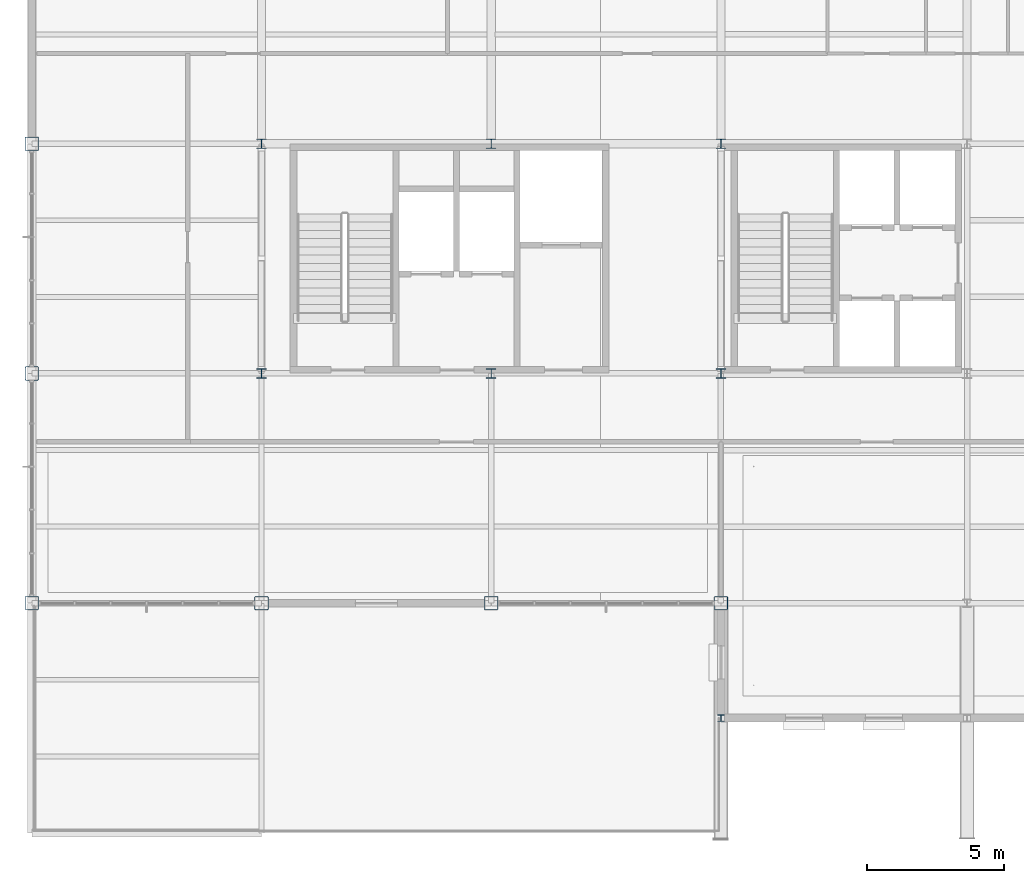
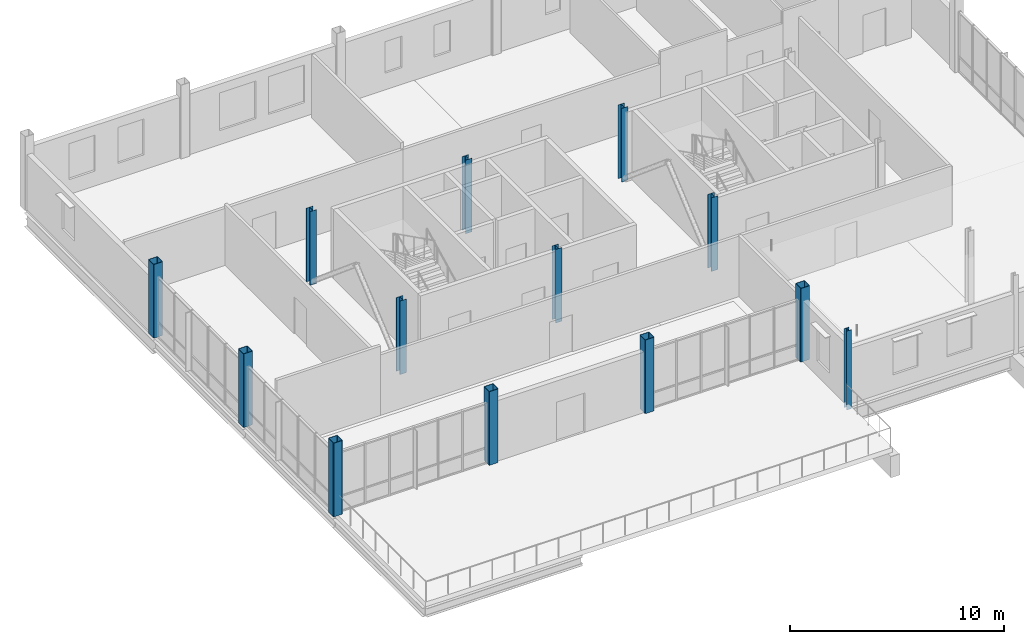
# One storey, part 1 of 22: 13 columns.
"""IFC4 building model written with IfcOpenShell, lengths in metres."""

from ifc_helpers import new_model, si_unit, direction, frame, origin, origin_2d, place, context, subcontext, project, spatial, hollow_rectangle, i_section, extrude, material, material_profile, profile_set, type_object, element, save


model = new_model("IFC4")

# Units and contexts
model_context = context("Model", 3, precision=1e-05, world=origin(), true_north=direction((0.0, 1.0)))
body_context = subcontext(model_context, "Body", "Model", "MODEL_VIEW")
ifc_project = project(units=[si_unit("LENGTHUNIT", "METRE"), si_unit("AREAUNIT", "SQUARE_METRE"), si_unit("VOLUMEUNIT", "CUBIC_METRE"), si_unit("PLANEANGLEUNIT", "RADIAN"), si_unit("MASSUNIT", "GRAM", prefix="KILO")], contexts=[model_context])

# Site, building, storey
site_placement = place(None, origin())
site = spatial("IfcSite", under=ifc_project, at=site_placement, CompositionType="ELEMENT")
building_placement = place(site_placement, origin())
building = spatial("IfcBuilding", under=site, at=building_placement, Name="Yukiwa Park Conservatory and Herbarium", CompositionType="ELEMENT")
storey_placement = place(building_placement, frame((0.0, 0.0, 35.39990234375)))
storey = spatial("IfcBuildingStorey", under=building, at=storey_placement, Name="L09", CompositionType="ELEMENT", Elevation=35.39990234375)

# Columns
ifc_material_1 = material(Name="Steel Q355D", Category="steel")
ifc_material_profile_1 = material_profile(ifc_material_1, i_section(OverallWidth=0.25, OverallDepth=0.25, WebThickness=0.009033203125, FlangeThickness=0.013916015625, FilletRadius=0.01611328125, at=origin_2d()), Name="HW 250x250x9x14")
ifc_profile_set_1 = profile_set([ifc_material_profile_1], Name="Steel Q355D")
column_type_1 = type_object("IfcColumnType", Name="COL-SB-HW250", PredefinedType="COLUMN", material=ifc_profile_set_1)
column_placement = place(storey_placement, frame((150.0, 82.199951171875, -0.304931640625), z_axis=(0.0, 0.0, 1.0), x_axis=(1.0, 0.0, 0.0)))
element("IfcColumn", 1, at=column_placement, inside=storey, type_object=column_type_1, Name="L09 column V5SB2-X1500-Y822", PredefinedType="COLUMN", context=body_context, shape_type="SweptSolid", body=[
    extrude(i_section(OverallWidth=0.25, OverallDepth=0.25, WebThickness=0.009033203125, FlangeThickness=0.013916015625, FilletRadius=0.01611328125, at=origin_2d()), origin(), (0.0, 0.0, 1.0), 4.505126953125),
])
ifc_material_2 = material(Name="Steel Q355D", Category="steel")
ifc_material_profile_2 = material_profile(ifc_material_2, hollow_rectangle(XDim=0.5, YDim=0.5, WallThickness=0.02001953125, InnerFilletRadius=0.02001953125, OuterFilletRadius=0.0400390625, at=origin_2d()), Name="BOX 500x500x20")
ifc_profile_set_2 = profile_set([ifc_material_profile_2], Name="Steel Q355D")
column_type_2 = type_object("IfcColumnType", Name="COL-TW-BOX500-EXT", PredefinedType="COLUMN", material=ifc_profile_set_2)
for number, where, z_axis, x_axis, name in (
    (2, (124.800048828125, 86.39990234375, 0.0), (0.0, 0.0, 1.0), (1.0, 0.0, 0.0), "L09 column V5-X1248-Y864"),
    (3, (124.800048828125, 94.800048828125, 0.0), (0.0, 0.0, 1.0), (1.0, 0.0, 0.0), "L09 column V5-X1248-Y948"),
    (4, (124.800048828125, 103.199951171875, 0.0), (0.0, 0.0, 1.0), (1.0, 0.0, 0.0), "L09 column V5-X1248-Y1032"),
    (5, (133.199951171875, 86.39990234375, 0.0), (0.0, 0.0, 1.0), (1.0, 0.0, 0.0), "L09 column V5-X1332-Y864"),
    (6, (141.60009765625, 86.39990234375, 0.0), (0.0, 0.0, 1.0), (1.0, 0.0, 0.0), "L09 column V5-X1416-Y864"),
    (7, (150.0, 86.39990234375, 0.0), (0.0, 0.0, 1.0), (1.0, 0.0, 0.0), "L09 column V5-X1500-Y864"),
):
    element("IfcColumn", number, at=place(storey_placement, frame(where, z_axis=z_axis, x_axis=x_axis)), inside=storey, type_object=column_type_2, Name=name, PredefinedType="COLUMN", context=body_context, shape_type="SweptSolid", body=[
        extrude(hollow_rectangle(XDim=0.5, YDim=0.5, WallThickness=0.02001953125, InnerFilletRadius=0.02001953125, OuterFilletRadius=0.0400390625, at=origin_2d()), origin(), (0.0, 0.0, 1.0), 4.2001953125),
    ])
ifc_material_3 = material(Name="Steel Q355D", Category="steel")
ifc_material_profile_3 = material_profile(ifc_material_3, i_section(OverallWidth=0.347900390625, OverallDepth=0.343994140625, WebThickness=0.010009765625, FlangeThickness=0.01611328125, FilletRadius=0.02001953125, at=origin_2d()), Name="HW 344x348x10x16")
ifc_profile_set_3 = profile_set([ifc_material_profile_3], Name="Steel Q355D")
column_type_3 = type_object("IfcColumnType", Name="COL-TW-HW344", PredefinedType="COLUMN", material=ifc_profile_set_3)
for number, where, z_axis, x_axis, name in (
    (8, (133.199951171875, 94.800048828125, 0.0), (0.0, 0.0, 1.0), (1.0, 0.0, 0.0), "L09 column V5-X1332-Y948"),
    (9, (133.199951171875, 103.199951171875, 0.0), (0.0, 0.0, 1.0), (1.0, 0.0, 0.0), "L09 column V5-X1332-Y1032"),
    (10, (141.60009765625, 94.800048828125, 0.0), (0.0, 0.0, 1.0), (1.0, 0.0, 0.0), "L09 column V5-X1416-Y948"),
    (11, (141.60009765625, 103.199951171875, 0.0), (0.0, 0.0, 1.0), (1.0, 0.0, 0.0), "L09 column V5-X1416-Y1032"),
    (12, (150.0, 94.800048828125, 0.0), (0.0, 0.0, 1.0), (1.0, 0.0, 0.0), "L09 column V5-X1500-Y948"),
    (13, (150.0, 103.199951171875, 0.0), (0.0, 0.0, 1.0), (1.0, 0.0, 0.0), "L09 column V5-X1500-Y1032"),
):
    element("IfcColumn", number, at=place(storey_placement, frame(where, z_axis=z_axis, x_axis=x_axis)), inside=storey, type_object=column_type_3, Name=name, PredefinedType="COLUMN", context=body_context, shape_type="SweptSolid", body=[
        extrude(i_section(OverallWidth=0.347900390625, OverallDepth=0.343994140625, WebThickness=0.010009765625, FlangeThickness=0.01611328125, FilletRadius=0.02001953125, at=origin_2d()), origin(), (0.0, 0.0, 1.0), 4.2001953125),
    ])

save(model, "model.ifc")
